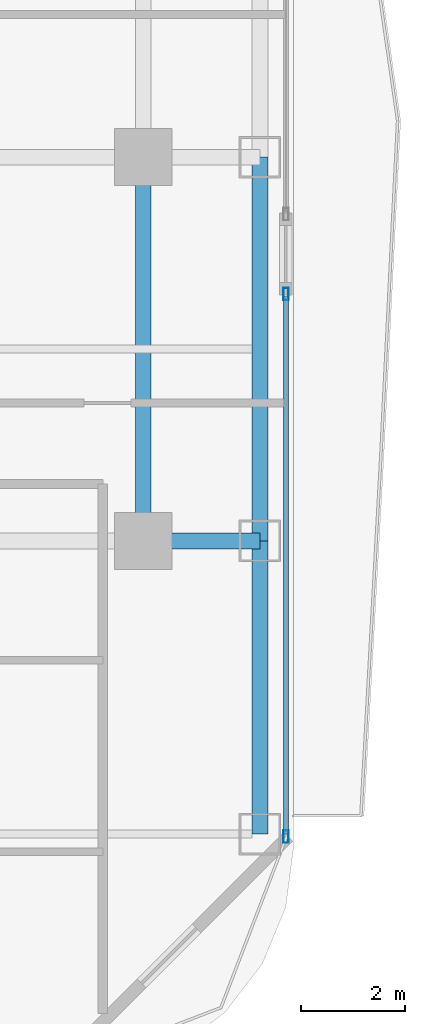
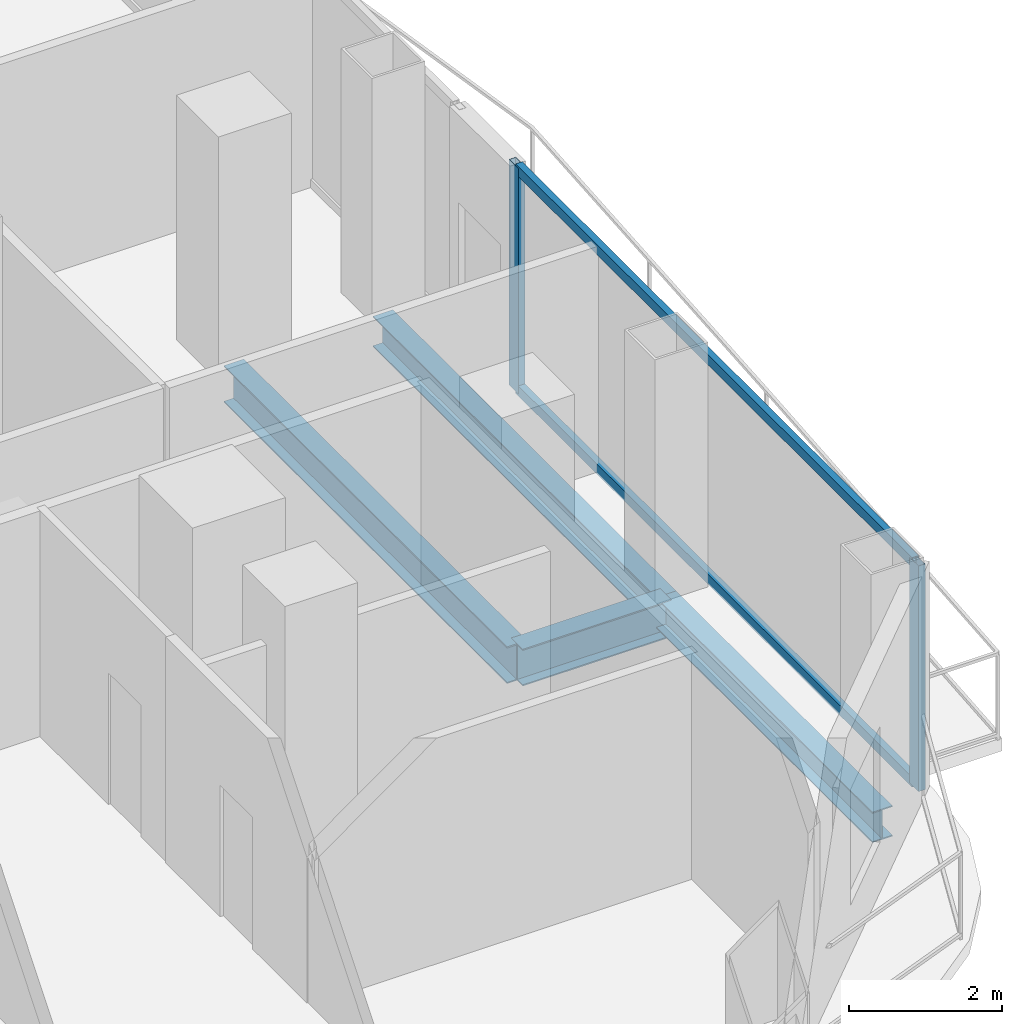
# One storey, part 10 of 29: 4 beams, 4 members, 1 element without a shape of its own.
"""IFC4 building model written with IfcOpenShell, lengths in metres."""

from ifc_helpers import new_model, si_unit, direction, frame, origin, origin_2d, place, context, subcontext, project, spatial, hollow_rectangle, i_section, extrude, material, layer, layer_set, material_profile, profile_set, type_object, element, aggregate, save


model = new_model("IFC4")

# Units and contexts
model_context = context("Model", 3, precision=1e-05, world=origin(), true_north=direction((0.0, 1.0)))
body_context = subcontext(model_context, "Body", "Model", "MODEL_VIEW")
ifc_project = project(units=[si_unit("LENGTHUNIT", "METRE"), si_unit("AREAUNIT", "SQUARE_METRE"), si_unit("VOLUMEUNIT", "CUBIC_METRE"), si_unit("PLANEANGLEUNIT", "RADIAN"), si_unit("MASSUNIT", "GRAM", prefix="KILO")], contexts=[model_context])

# Site, building, storey
site_placement = place(None, origin())
site = spatial("IfcSite", under=ifc_project, at=site_placement, CompositionType="ELEMENT")
building_placement = place(site_placement, origin())
building = spatial("IfcBuilding", under=site, at=building_placement, Name="Khorvyn Point Tower", CompositionType="ELEMENT")
storey_placement = place(building_placement, frame((0.0, 0.0, 73.5)))
storey = spatial("IfcBuildingStorey", under=building, at=storey_placement, Name="L19", CompositionType="ELEMENT", Elevation=73.5)

# Curtain wall, members
ifc_material_1 = material(Name="Anodised aluminium 6063-T6 and laminated Low-E glass", Category="aluminium")
ifc_layer = layer(ifc_material_1, 0.18994140625)
ifc_layer_set = layer_set([ifc_layer], Name="Stick-Built Finned Residential Curtain Wall CW-SYS-02")
curtain_wall_type = type_object("IfcCurtainWallType", Name="Stick-Built Finned Residential Curtain Wall CW-SYS-02", PredefinedType="NOTDEFINED", material=ifc_layer_set)
curtain_wall_placement = place(storey_placement, origin())
curtain_wall = element("IfcCurtainWall", 1, at=curtain_wall_placement, inside=storey, type_object=curtain_wall_type, Name="Curtain Wall", PredefinedType="NOTDEFINED")
ifc_material_2 = material(Name="Anodised aluminium 6063-T6", Category="aluminium")
ifc_material_profile_1 = material_profile(ifc_material_2, hollow_rectangle(XDim=0.10009765625, YDim=0.239990234375, WallThickness=0.0048828125, at=origin_2d()))
ifc_profile_set_1 = profile_set([ifc_material_profile_1], Name="Anodised aluminium 6063-T6 ALU-MUL-100x240")
member_type_1 = type_object("IfcMemberType", Name="Anodised Aluminium 6063-T6 Mullion ALU-MUL-100x240", PredefinedType="MULLION", material=ifc_profile_set_1)
member_1_placement = place(storey_placement, frame((22.14990234375, -10.0380859375, 0.0), z_axis=(0.0, 0.0, 1.0), x_axis=(1.0, 0.0, 0.0)))
member_1 = element("IfcMember", 2, at=member_1_placement, type_object=member_type_1, Name="Transom", PredefinedType="MULLION", context=body_context, shape_type="SweptSolid", body=[
    extrude(hollow_rectangle(XDim=0.10009765625, YDim=0.239990234375, WallThickness=0.0048828125, at=origin_2d()), origin(), (0.0, 0.0, 1.0), 3.60009765625),
])
member_2_placement = place(storey_placement, frame((22.14990234375, -20.5, 0.0), z_axis=(0.0, 0.0, 1.0), x_axis=(1.0, 0.0, 0.0)))
member_2 = element("IfcMember", 3, at=member_2_placement, type_object=member_type_1, Name="Transom", PredefinedType="MULLION", context=body_context, shape_type="SweptSolid", body=[
    extrude(hollow_rectangle(XDim=0.10009765625, YDim=0.239990234375, WallThickness=0.0048828125, at=origin_2d()), origin(), (0.0, 0.0, 1.0), 3.60009765625),
])
ifc_material_profile_2 = material_profile(ifc_material_2, hollow_rectangle(XDim=0.10009765625, YDim=0.159912109375, WallThickness=0.00439453125, at=origin_2d()))
ifc_profile_set_2 = profile_set([ifc_material_profile_2], Name="Anodised aluminium 6063-T6 ALU-TRN-100x160")
member_type_2 = type_object("IfcMemberType", Name="Anodised Aluminium 6063-T6 Transom ALU-TRN-100x160", PredefinedType="USERDEFINED", material=ifc_profile_set_2)
member_3_placement = place(storey_placement, frame((22.14990234375, -10.087890625, 0.050048828125), z_axis=(0.0, -1.0, 0.0), x_axis=(1.0, 0.0, 0.0)))
member_3 = element("IfcMember", 4, at=member_3_placement, type_object=member_type_2, Name="Transom", ObjectType="TRANSOM", PredefinedType="USERDEFINED", context=body_context, shape_type="SweptSolid", body=[
    extrude(hollow_rectangle(XDim=0.10009765625, YDim=0.159912109375, WallThickness=0.00439453125, at=origin_2d()), origin(), (0.0, 0.0, 1.0), 10.362060546875),
])
member_4_placement = place(storey_placement, frame((22.14990234375, -10.087890625, 3.550048828125), z_axis=(0.0, -1.0, 0.0), x_axis=(1.0, 0.0, 0.0)))
member_4 = element("IfcMember", 5, at=member_4_placement, type_object=member_type_2, Name="Transom", ObjectType="TRANSOM", PredefinedType="USERDEFINED", context=body_context, shape_type="SweptSolid", body=[
    extrude(hollow_rectangle(XDim=0.10009765625, YDim=0.159912109375, WallThickness=0.00439453125, at=origin_2d()), origin(), (0.0, 0.0, 1.0), 10.362060546875),
])
aggregate(curtain_wall, [member_1, member_2, member_3, member_4])

# Beams
ifc_material_3 = material(Name="Steel S355", Category="steel")
ifc_material_profile_3 = material_profile(ifc_material_3, i_section(OverallWidth=0.300048828125, OverallDepth=0.587890625, WebThickness=0.011962890625, FlangeThickness=0.02001953125, at=origin_2d()))
ifc_profile_set_3 = profile_set([ifc_material_profile_3], Name="Steel S355 H588x300x12x20")
beam_type_1 = type_object("IfcBeamType", Name="Steel S355 Beam H588x300x12x20", PredefinedType="BEAM", material=ifc_profile_set_3)
beam_1_placement = place(storey_placement, frame((19.39990234375, -14.800048828125, -0.513916015625), z_axis=(1.0, 0.0, 0.0), x_axis=(0.0, 1.0, 0.0)))
element("IfcBeam", 6, at=beam_1_placement, inside=storey, type_object=beam_type_1, Name="Beam", PredefinedType="BEAM", context=body_context, shape_type="SweptSolid", body=[
    extrude(i_section(OverallWidth=0.300048828125, OverallDepth=0.587890625, WebThickness=0.011962890625, FlangeThickness=0.02001953125, at=origin_2d()), origin(), (0.0, 0.0, 1.0), 2.25),
])
beam_2_placement = place(storey_placement, frame((19.39990234375, -14.800048828125, -0.513916015625), z_axis=(0.0, 1.0, 0.0), x_axis=(-1.0, 0.0, 0.0)))
element("IfcBeam", 7, at=beam_2_placement, inside=storey, type_object=beam_type_1, Name="Beam", PredefinedType="BEAM", context=body_context, shape_type="SweptSolid", body=[
    extrude(i_section(OverallWidth=0.300048828125, OverallDepth=0.587890625, WebThickness=0.011962890625, FlangeThickness=0.02001953125, at=origin_2d()), origin(), (0.0, 0.0, 1.0), 7.400146484375),
])
ifc_material_profile_4 = material_profile(ifc_material_3, i_section(OverallWidth=0.300048828125, OverallDepth=0.488037109375, WebThickness=0.010986328125, FlangeThickness=0.01806640625, at=origin_2d()))
ifc_profile_set_4 = profile_set([ifc_material_profile_4], Name="Steel S355 H488x300x11x18")
beam_type_2 = type_object("IfcBeamType", Name="Steel S355 Spandrel H488x300x11x18", PredefinedType="SPANDREL", material=ifc_profile_set_4)
beam_3_placement = place(storey_placement, frame((21.64990234375, -20.449951171875, -0.464111328125), z_axis=(0.0, 1.0, 0.0), x_axis=(-1.0, 0.0, 0.0)))
element("IfcBeam", 8, at=beam_3_placement, inside=storey, type_object=beam_type_2, Name="Beam", PredefinedType="SPANDREL", context=body_context, shape_type="SweptSolid", body=[
    extrude(i_section(OverallWidth=0.300048828125, OverallDepth=0.488037109375, WebThickness=0.010986328125, FlangeThickness=0.01806640625, at=origin_2d()), origin(), (0.0, 0.0, 1.0), 5.64990234375),
])
beam_4_placement = place(storey_placement, frame((21.64990234375, -14.800048828125, -0.464111328125), z_axis=(0.0, 1.0, 0.0), x_axis=(-1.0, 0.0, 0.0)))
element("IfcBeam", 9, at=beam_4_placement, inside=storey, type_object=beam_type_2, Name="Beam", PredefinedType="SPANDREL", context=body_context, shape_type="SweptSolid", body=[
    extrude(i_section(OverallWidth=0.300048828125, OverallDepth=0.488037109375, WebThickness=0.010986328125, FlangeThickness=0.01806640625, at=origin_2d()), origin(), (0.0, 0.0, 1.0), 7.400146484375),
])

save(model, "model.ifc")
